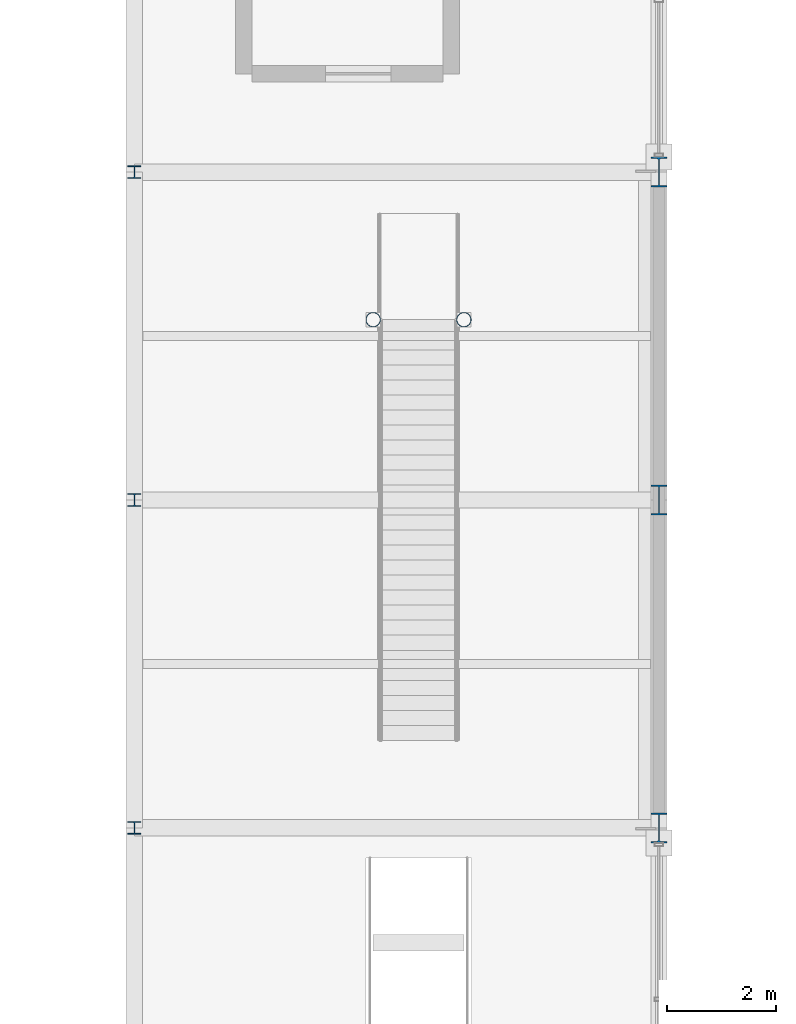
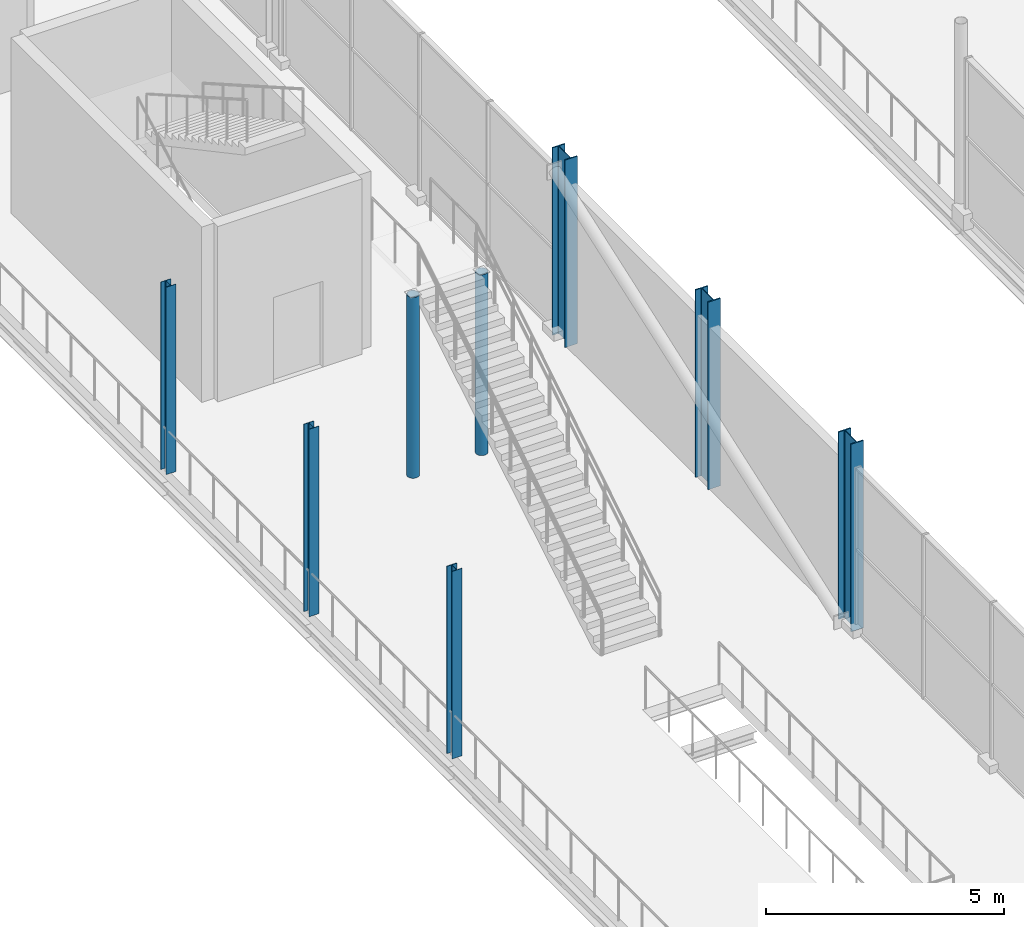
# One storey, part 5 of 159: 8 columns.
"""IFC4 building model written with IfcOpenShell, lengths in metres."""

from ifc_helpers import new_model, si_unit, direction, frame, origin, origin_2d, place, context, subcontext, project, spatial, hollow_circle, i_section, extrude, material, material_profile, profile_set, type_object, element, save


model = new_model("IFC4")

# Units and contexts
model_context = context("Model", 3, precision=1e-05, world=origin(), true_north=direction((0.0, 1.0)))
body_context = subcontext(model_context, "Body", "Model", "MODEL_VIEW")
ifc_project = project(units=[si_unit("LENGTHUNIT", "METRE"), si_unit("AREAUNIT", "SQUARE_METRE"), si_unit("VOLUMEUNIT", "CUBIC_METRE"), si_unit("PLANEANGLEUNIT", "RADIAN"), si_unit("MASSUNIT", "GRAM", prefix="KILO")], contexts=[model_context])

# Site, building, storey
site_placement = place(None, origin())
site = spatial("IfcSite", under=ifc_project, at=site_placement, CompositionType="ELEMENT")
building_placement = place(site_placement, origin())
building = spatial("IfcBuilding", under=site, at=building_placement, Name="Merenkruunu Market Hall", CompositionType="ELEMENT")
storey_placement = place(building_placement, frame((0.0, 0.0, 5.39990234375)))
storey = spatial("IfcBuildingStorey", under=building, at=storey_placement, Name="L01", CompositionType="ELEMENT", Elevation=5.39990234375)

# Columns
ifc_material_1 = material(Name="Steel S355ML", Category="steel")
ifc_material_profile_1 = material_profile(ifc_material_1, i_section(OverallWidth=0.300048828125, OverallDepth=0.550048828125, WebThickness=0.014892578125, FlangeThickness=0.029052734375, FilletRadius=0.027099609375, at=origin_2d()), Name="HEB 550")
ifc_profile_set_1 = profile_set([ifc_material_profile_1], Name="Steel S355ML")
column_type_1 = type_object("IfcColumnType", Name="Structural Column C02", PredefinedType="COLUMN", material=ifc_profile_set_1)
for number, where, z_axis, x_axis, name in (
    (1, (57.60009765625, 39.60009765625, 0.0), (0.0, 0.0, 1.0), (1.0, 0.0, 0.0), "COL-L01-G-05"),
    (2, (57.60009765625, 45.60009765625, 0.0), (0.0, 0.0, 1.0), (1.0, 0.0, 0.0), "COL-L01-G-06"),
    (3, (57.60009765625, 51.60009765625, 0.0), (0.0, 0.0, 1.0), (1.0, 0.0, 0.0), "COL-L01-G-07"),
):
    element("IfcColumn", number, at=place(storey_placement, frame(where, z_axis=z_axis, x_axis=x_axis)), inside=storey, type_object=column_type_1, Name=name, PredefinedType="COLUMN", context=body_context, shape_type="SweptSolid", body=[
        extrude(i_section(OverallWidth=0.300048828125, OverallDepth=0.550048828125, WebThickness=0.014892578125, FlangeThickness=0.029052734375, FilletRadius=0.027099609375, at=origin_2d()), origin(), (0.0, 0.0, 1.0), 4.800048828125),
    ])
ifc_material_2 = material(Name="Steel S355J2", Category="steel")
ifc_material_profile_2 = material_profile(ifc_material_2, i_section(OverallWidth=0.239990234375, OverallDepth=0.22998046875, WebThickness=0.007568359375, FlangeThickness=0.011962890625, FilletRadius=0.02099609375, at=origin_2d()), Name="HEA 240")
ifc_profile_set_2 = profile_set([ifc_material_profile_2], Name="Steel S355J2")
column_type_2 = type_object("IfcColumnType", Name="Structural Column C10", PredefinedType="COLUMN", material=ifc_profile_set_2)
for number, where, z_axis, x_axis, name in (
    (4, (48.0, 39.60009765625, 0.0), (0.0, 0.0, 1.0), (1.0, 0.0, 0.0), "COL-L01-F-05"),
    (5, (48.0, 45.60009765625, 0.0), (0.0, 0.0, 1.0), (1.0, 0.0, 0.0), "COL-L01-F-06"),
    (6, (48.0, 51.60009765625, 0.0), (0.0, 0.0, 1.0), (1.0, 0.0, 0.0), "COL-L01-F-07"),
):
    element("IfcColumn", number, at=place(storey_placement, frame(where, z_axis=z_axis, x_axis=x_axis)), inside=storey, type_object=column_type_2, Name=name, PredefinedType="COLUMN", context=body_context, shape_type="SweptSolid", body=[
        extrude(i_section(OverallWidth=0.239990234375, OverallDepth=0.22998046875, WebThickness=0.007568359375, FlangeThickness=0.011962890625, FilletRadius=0.02099609375, at=origin_2d()), origin(), (0.0, 0.0, 1.0), 4.800048828125),
    ])
ifc_material_profile_3 = material_profile(ifc_material_1, hollow_circle(Radius=0.136474609375, WallThickness=0.012451171875, at=origin_2d()), Name="CHS 273x12.5")
ifc_profile_set_3 = profile_set([ifc_material_profile_3], Name="Steel S355ML")
column_type_3 = type_object("IfcColumnType", Name="Structural Column C14", PredefinedType="COLUMN", material=ifc_profile_set_3)
for number, where, z_axis, x_axis, name in (
    (7, (52.3701171875, 48.89990234375, 0.0), (0.0, 0.0, 1.0), (1.0, 0.0, 0.0), "COL-FST-5-1-L01"),
    (8, (54.030029296875, 48.89990234375, 0.0), (0.0, 0.0, 1.0), (1.0, 0.0, 0.0), "COL-FST-5-2-L01"),
):
    element("IfcColumn", number, at=place(storey_placement, frame(where, z_axis=z_axis, x_axis=x_axis)), inside=storey, type_object=column_type_3, Name=name, PredefinedType="COLUMN", context=body_context, shape_type="SweptSolid", body=[
        extrude(hollow_circle(Radius=0.136474609375, WallThickness=0.012451171875, at=origin_2d()), origin(), (0.0, 0.0, 1.0), 4.630126953125),
    ])

save(model, "model.ifc")
